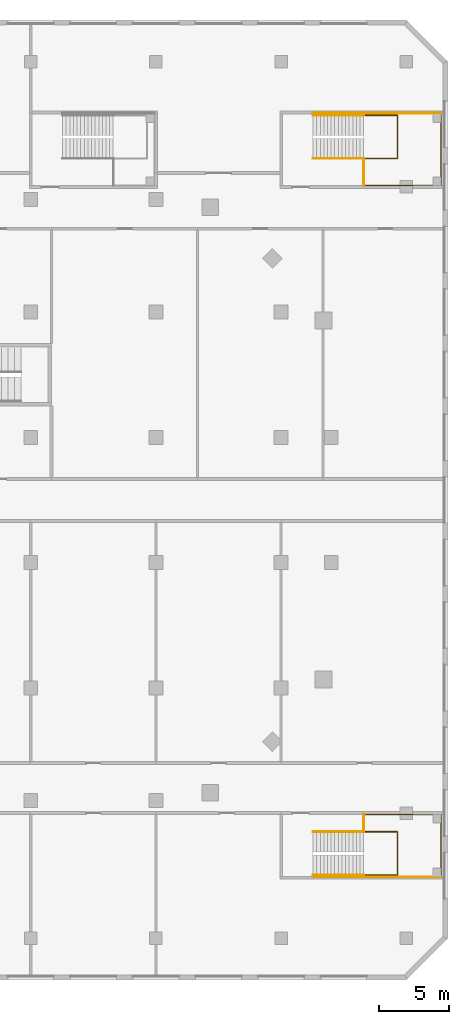
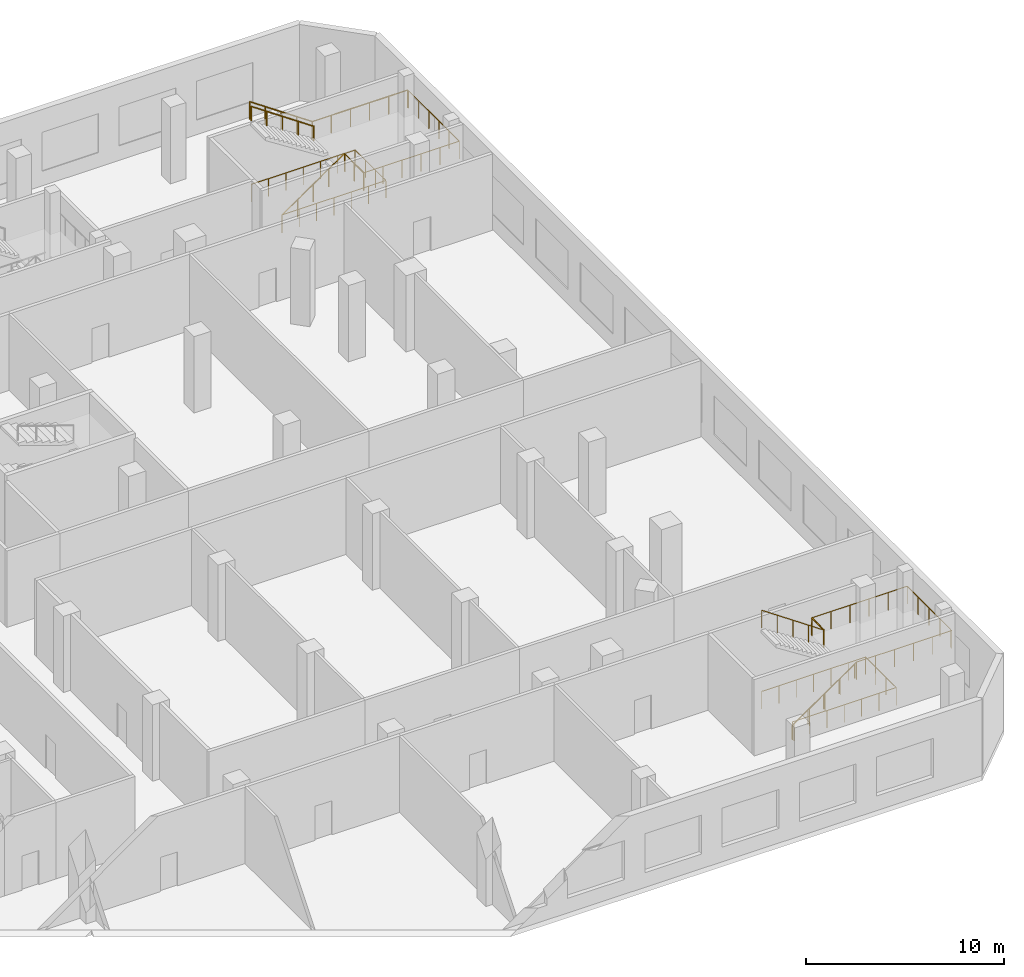
# One storey, part 20 of 21: 12 railings.
"""IFC4 building model written with IfcOpenShell, lengths in metres."""

from ifc_helpers import new_model, si_unit, direction, frame, origin, origin_2d, place, context, subcontext, project, spatial, circle, extrude, material, type_object, element, save


model = new_model("IFC4")

# Units and contexts
model_context = context("Model", 3, precision=1e-05, world=origin(), true_north=direction((0.0, 1.0)))
body_context = subcontext(model_context, "Body", "Model", "MODEL_VIEW")
ifc_project = project(units=[si_unit("LENGTHUNIT", "METRE"), si_unit("AREAUNIT", "SQUARE_METRE"), si_unit("VOLUMEUNIT", "CUBIC_METRE"), si_unit("PLANEANGLEUNIT", "RADIAN"), si_unit("MASSUNIT", "GRAM", prefix="KILO")], contexts=[model_context])

# Site, building, storey
site_placement = place(None, origin())
site = spatial("IfcSite", under=ifc_project, at=site_placement, CompositionType="ELEMENT")
building_placement = place(site_placement, origin())
building = spatial("IfcBuilding", under=site, at=building_placement, Name="Cinnabar Reach Civic Tower", CompositionType="ELEMENT")
storey_placement = place(building_placement, frame((0.0, 0.0, 11.0)))
storey = spatial("IfcBuildingStorey", under=building, at=storey_placement, Name="L02", CompositionType="ELEMENT", Elevation=11.0)

# Railings
ifc_material_1 = material(Name="Stainless steel and glass", Category="steel")
railing_type_1 = type_object("IfcRailingType", Name="Podium guard 1100", PredefinedType="GUARDRAIL", material=ifc_material_1)
railing_1_placement = place(storey_placement, frame((59.94, -1.35, 2.5)))
element("IfcRailing", 1, at=railing_1_placement, inside=storey, type_object=railing_type_1, Name="Stair guard PS4 L02", PredefinedType="GUARDRAIL", context=body_context, shape_type="SweptSolid", body=[
    extrude(circle(Radius=0.024, at=origin_2d()), frame((0.0, 0.0, 1.076), z_axis=(-0.824306135323, 0.0, 0.566144323711), x_axis=(0.0, -1.0, 0.0)), (0.0, 0.0, 1.0), 4.4158),
    extrude(circle(Radius=0.021, at=origin_2d()), origin(), (0.0, 0.0, 1.0), 1.052),
    extrude(circle(Radius=0.021, at=origin_2d()), frame((-0.91, 0.0, 0.625)), (0.0, 0.0, 1.0), 1.052),
    extrude(circle(Radius=0.021, at=origin_2d()), frame((-1.82, 0.0, 1.25)), (0.0, 0.0, 1.0), 1.052),
    extrude(circle(Radius=0.021, at=origin_2d()), frame((-2.73, 0.0, 1.875)), (0.0, 0.0, 1.0), 1.052),
    extrude(circle(Radius=0.021, at=origin_2d()), frame((-3.64, 0.0, 2.5)), (0.0, 0.0, 1.0), 1.052),
])
railing_2_placement = place(storey_placement, frame((59.94, -0.1, 2.5)))
element("IfcRailing", 2, at=railing_2_placement, inside=storey, type_object=railing_type_1, Name="Landing guard PS4 L02", PredefinedType="GUARDRAIL", context=body_context, shape_type="SweptSolid", body=[
    extrude(circle(Radius=0.024, at=origin_2d()), frame((0.0, 0.0, 1.076), z_axis=(1.0, 0.0, 0.0), x_axis=(0.0, 1.0, 0.0)), (0.0, 0.0, 1.0), 5.56),
    extrude(circle(Radius=0.024, at=origin_2d()), frame((5.56, 0.0, 1.076), z_axis=(0.0, -1.0, 0.0), x_axis=(1.0, 0.0, 0.0)), (0.0, 0.0, 1.0), 4.4),
    extrude(circle(Radius=0.021, at=origin_2d()), origin(), (0.0, 0.0, 1.0), 1.052),
    extrude(circle(Radius=0.021, at=origin_2d()), frame((1.112, 0.0, 0.0)), (0.0, 0.0, 1.0), 1.052),
    extrude(circle(Radius=0.021, at=origin_2d()), frame((2.224, 0.0, 0.0)), (0.0, 0.0, 1.0), 1.052),
    extrude(circle(Radius=0.021, at=origin_2d()), frame((3.336, 0.0, 0.0)), (0.0, 0.0, 1.0), 1.052),
    extrude(circle(Radius=0.021, at=origin_2d()), frame((4.448, 0.0, 0.0)), (0.0, 0.0, 1.0), 1.052),
    extrude(circle(Radius=0.021, at=origin_2d()), frame((5.56, 0.0, 0.0)), (0.0, 0.0, 1.0), 1.052),
    extrude(circle(Radius=0.021, at=origin_2d()), frame((5.56, -1.1, 0.0)), (0.0, 0.0, 1.0), 1.052),
    extrude(circle(Radius=0.021, at=origin_2d()), frame((5.56, -2.2, 0.0)), (0.0, 0.0, 1.0), 1.052),
    extrude(circle(Radius=0.021, at=origin_2d()), frame((5.56, -3.3, 0.0)), (0.0, 0.0, 1.0), 1.052),
    extrude(circle(Radius=0.021, at=origin_2d()), frame((5.56, -4.4, 0.0)), (0.0, 0.0, 1.0), 1.052),
])
railing_3_placement = place(storey_placement, frame((59.94, -1.3, 2.5)))
element("IfcRailing", 3, at=railing_3_placement, inside=storey, type_object=railing_type_1, Name="Landing guard PS4 L02 inner", PredefinedType="GUARDRAIL", context=body_context, shape_type="SweptSolid", body=[
    extrude(circle(Radius=0.024, at=origin_2d()), frame((0.0, 0.0, 1.076), z_axis=(0.0, 1.0, 0.0), x_axis=(-1.0, 0.0, 0.0)), (0.0, 0.0, 1.0), 1.2),
    extrude(circle(Radius=0.021, at=origin_2d()), origin(), (0.0, 0.0, 1.0), 1.052),
    extrude(circle(Radius=0.021, at=origin_2d()), frame((0.0, 1.2, 0.0)), (0.0, 0.0, 1.0), 1.052),
])
railing_4_placement = place(storey_placement, frame((56.3, -4.6, 0.0)))
element("IfcRailing", 4, at=railing_4_placement, inside=storey, type_object=railing_type_1, Name="Stair wall side guard PS4 L02", PredefinedType="GUARDRAIL", context=body_context, shape_type="SweptSolid", body=[
    extrude(circle(Radius=0.024, at=origin_2d()), frame((0.0, 0.0, 1.076), z_axis=(0.824306135323, 0.0, 0.566144323711), x_axis=(0.0, 1.0, 0.0)), (0.0, 0.0, 1.0), 4.4158),
    extrude(circle(Radius=0.024, at=origin_2d()), frame((3.64, 0.0, 3.576), z_axis=(1.0, 0.0, 0.0), x_axis=(0.0, 1.0, 0.0)), (0.0, 0.0, 1.0), 5.56),
    extrude(circle(Radius=0.021, at=origin_2d()), origin(), (0.0, 0.0, 1.0), 1.052),
    extrude(circle(Radius=0.021, at=origin_2d()), frame((0.91, 0.0, 0.625)), (0.0, 0.0, 1.0), 1.052),
    extrude(circle(Radius=0.021, at=origin_2d()), frame((1.82, 0.0, 1.25)), (0.0, 0.0, 1.0), 1.052),
    extrude(circle(Radius=0.021, at=origin_2d()), frame((2.73, 0.0, 1.875)), (0.0, 0.0, 1.0), 1.052),
    extrude(circle(Radius=0.021, at=origin_2d()), frame((3.64, 0.0, 2.5)), (0.0, 0.0, 1.0), 1.052),
    extrude(circle(Radius=0.021, at=origin_2d()), frame((4.752, 0.0, 2.5)), (0.0, 0.0, 1.0), 1.052),
    extrude(circle(Radius=0.021, at=origin_2d()), frame((5.864, 0.0, 2.5)), (0.0, 0.0, 1.0), 1.052),
    extrude(circle(Radius=0.021, at=origin_2d()), frame((6.976, 0.0, 2.5)), (0.0, 0.0, 1.0), 1.052),
    extrude(circle(Radius=0.021, at=origin_2d()), frame((8.088, 0.0, 2.5)), (0.0, 0.0, 1.0), 1.052),
    extrude(circle(Radius=0.021, at=origin_2d()), frame((9.2, 0.0, 2.5)), (0.0, 0.0, 1.0), 1.052),
])
railing_5_placement = place(storey_placement, frame((56.3, -4.45, 0.0)))
element("IfcRailing", 5, at=railing_5_placement, inside=storey, type_object=railing_type_1, Name="Stair well guard PS4 L02", PredefinedType="GUARDRAIL", context=body_context, shape_type="SweptSolid", body=[
    extrude(circle(Radius=0.024, at=origin_2d()), frame((0.0, 0.0, 1.076), z_axis=(1.0, 0.0, 0.0), x_axis=(0.0, 1.0, 0.0)), (0.0, 0.0, 1.0), 6.05),
    extrude(circle(Radius=0.024, at=origin_2d()), frame((6.05, 0.0, 1.076), z_axis=(0.0, 1.0, 0.0), x_axis=(-1.0, 0.0, 0.0)), (0.0, 0.0, 1.0), 3.1),
    extrude(circle(Radius=0.024, at=origin_2d()), frame((6.05, 3.1, 1.076), z_axis=(-1.0, 0.0, 0.0), x_axis=(0.0, -1.0, 0.0)), (0.0, 0.0, 1.0), 6.05),
    extrude(circle(Radius=0.021, at=origin_2d()), origin(), (0.0, 0.0, 1.0), 1.052),
    extrude(circle(Radius=0.021, at=origin_2d()), frame((1.0083, 0.0, 0.0)), (0.0, 0.0, 1.0), 1.052),
    extrude(circle(Radius=0.021, at=origin_2d()), frame((2.0167, 0.0, 0.0)), (0.0, 0.0, 1.0), 1.052),
    extrude(circle(Radius=0.021, at=origin_2d()), frame((3.025, 0.0, 0.0)), (0.0, 0.0, 1.0), 1.052),
    extrude(circle(Radius=0.021, at=origin_2d()), frame((4.0333, 0.0, 0.0)), (0.0, 0.0, 1.0), 1.052),
    extrude(circle(Radius=0.021, at=origin_2d()), frame((5.0417, 0.0, 0.0)), (0.0, 0.0, 1.0), 1.052),
    extrude(circle(Radius=0.021, at=origin_2d()), frame((6.05, 0.0, 0.0)), (0.0, 0.0, 1.0), 1.052),
    extrude(circle(Radius=0.021, at=origin_2d()), frame((6.05, 1.0333, 0.0)), (0.0, 0.0, 1.0), 1.052),
    extrude(circle(Radius=0.021, at=origin_2d()), frame((6.05, 2.0667, 0.0)), (0.0, 0.0, 1.0), 1.052),
    extrude(circle(Radius=0.021, at=origin_2d()), frame((6.05, 3.1, 0.0)), (0.0, 0.0, 1.0), 1.052),
    extrude(circle(Radius=0.021, at=origin_2d()), frame((5.0417, 3.1, 0.0)), (0.0, 0.0, 1.0), 1.052),
    extrude(circle(Radius=0.021, at=origin_2d()), frame((4.0333, 3.1, 0.0)), (0.0, 0.0, 1.0), 1.052),
    extrude(circle(Radius=0.021, at=origin_2d()), frame((3.025, 3.1, 0.0)), (0.0, 0.0, 1.0), 1.052),
    extrude(circle(Radius=0.021, at=origin_2d()), frame((2.0167, 3.1, 0.0)), (0.0, 0.0, 1.0), 1.052),
    extrude(circle(Radius=0.021, at=origin_2d()), frame((1.0083, 3.1, 0.0)), (0.0, 0.0, 1.0), 1.052),
    extrude(circle(Radius=0.021, at=origin_2d()), frame((0.0, 3.1, 0.0)), (0.0, 0.0, 1.0), 1.052),
])
railing_6_placement = place(storey_placement, frame((56.3, 47.05, 0.0)))
element("IfcRailing", 6, at=railing_6_placement, inside=storey, type_object=railing_type_1, Name="Stair guard PS5 L02", PredefinedType="GUARDRAIL", context=body_context, shape_type="SweptSolid", body=[
    extrude(circle(Radius=0.024, at=origin_2d()), frame((0.0, 0.0, 1.076), z_axis=(0.824306135323, 0.0, 0.566144323711), x_axis=(0.0, 1.0, 0.0)), (0.0, 0.0, 1.0), 4.4158),
    extrude(circle(Radius=0.021, at=origin_2d()), origin(), (0.0, 0.0, 1.0), 1.052),
    extrude(circle(Radius=0.021, at=origin_2d()), frame((0.91, 0.0, 0.625)), (0.0, 0.0, 1.0), 1.052),
    extrude(circle(Radius=0.021, at=origin_2d()), frame((1.82, 0.0, 1.25)), (0.0, 0.0, 1.0), 1.052),
    extrude(circle(Radius=0.021, at=origin_2d()), frame((2.73, 0.0, 1.875)), (0.0, 0.0, 1.0), 1.052),
    extrude(circle(Radius=0.021, at=origin_2d()), frame((3.64, 0.0, 2.5)), (0.0, 0.0, 1.0), 1.052),
])
railing_7_placement = place(storey_placement, frame((59.94, 45.1, 2.5)))
element("IfcRailing", 7, at=railing_7_placement, inside=storey, type_object=railing_type_1, Name="Landing guard PS5 L02", PredefinedType="GUARDRAIL", context=body_context, shape_type="SweptSolid", body=[
    extrude(circle(Radius=0.024, at=origin_2d()), frame((0.0, 0.0, 1.076), z_axis=(1.0, 0.0, 0.0), x_axis=(0.0, 1.0, 0.0)), (0.0, 0.0, 1.0), 5.56),
    extrude(circle(Radius=0.024, at=origin_2d()), frame((5.56, 0.0, 1.076), z_axis=(0.0, 1.0, 0.0), x_axis=(-1.0, 0.0, 0.0)), (0.0, 0.0, 1.0), 5.1),
    extrude(circle(Radius=0.021, at=origin_2d()), origin(), (0.0, 0.0, 1.0), 1.052),
    extrude(circle(Radius=0.021, at=origin_2d()), frame((1.112, 0.0, 0.0)), (0.0, 0.0, 1.0), 1.052),
    extrude(circle(Radius=0.021, at=origin_2d()), frame((2.224, 0.0, 0.0)), (0.0, 0.0, 1.0), 1.052),
    extrude(circle(Radius=0.021, at=origin_2d()), frame((3.336, 0.0, 0.0)), (0.0, 0.0, 1.0), 1.052),
    extrude(circle(Radius=0.021, at=origin_2d()), frame((4.448, 0.0, 0.0)), (0.0, 0.0, 1.0), 1.052),
    extrude(circle(Radius=0.021, at=origin_2d()), frame((5.56, 0.0, 0.0)), (0.0, 0.0, 1.0), 1.052),
    extrude(circle(Radius=0.021, at=origin_2d()), frame((5.56, 1.02, 0.0)), (0.0, 0.0, 1.0), 1.052),
    extrude(circle(Radius=0.021, at=origin_2d()), frame((5.56, 2.04, 0.0)), (0.0, 0.0, 1.0), 1.052),
    extrude(circle(Radius=0.021, at=origin_2d()), frame((5.56, 3.06, 0.0)), (0.0, 0.0, 1.0), 1.052),
    extrude(circle(Radius=0.021, at=origin_2d()), frame((5.56, 4.08, 0.0)), (0.0, 0.0, 1.0), 1.052),
    extrude(circle(Radius=0.021, at=origin_2d()), frame((5.56, 5.1, 0.0)), (0.0, 0.0, 1.0), 1.052),
])
railing_8_placement = place(storey_placement, frame((59.94, 45.1, 2.5)))
element("IfcRailing", 8, at=railing_8_placement, inside=storey, type_object=railing_type_1, Name="Landing guard PS5 L02 inner", PredefinedType="GUARDRAIL", context=body_context, shape_type="SweptSolid", body=[
    extrude(circle(Radius=0.024, at=origin_2d()), frame((0.0, 0.0, 1.076), z_axis=(0.0, 1.0, 0.0), x_axis=(-1.0, 0.0, 0.0)), (0.0, 0.0, 1.0), 1.9),
    extrude(circle(Radius=0.021, at=origin_2d()), origin(), (0.0, 0.0, 1.0), 1.052),
    extrude(circle(Radius=0.021, at=origin_2d()), frame((0.0, 0.95, 0.0)), (0.0, 0.0, 1.0), 1.052),
    extrude(circle(Radius=0.021, at=origin_2d()), frame((0.0, 1.9, 0.0)), (0.0, 0.0, 1.0), 1.052),
])
railing_9_placement = place(storey_placement, frame((65.5, 50.3, 2.5)))
element("IfcRailing", 9, at=railing_9_placement, inside=storey, type_object=railing_type_1, Name="Stair wall side guard PS5 L02", PredefinedType="GUARDRAIL", context=body_context, shape_type="SweptSolid", body=[
    extrude(circle(Radius=0.024, at=origin_2d()), frame((0.0, 0.0, 1.076), z_axis=(-1.0, 0.0, 0.0), x_axis=(0.0, -1.0, 0.0)), (0.0, 0.0, 1.0), 5.56),
    extrude(circle(Radius=0.024, at=origin_2d()), frame((-5.56, 0.0, 1.076), z_axis=(-0.824306135323, 0.0, 0.566144323711), x_axis=(0.0, -1.0, 0.0)), (0.0, 0.0, 1.0), 4.4158),
    extrude(circle(Radius=0.021, at=origin_2d()), origin(), (0.0, 0.0, 1.0), 1.052),
    extrude(circle(Radius=0.021, at=origin_2d()), frame((-1.112, 0.0, 0.0)), (0.0, 0.0, 1.0), 1.052),
    extrude(circle(Radius=0.021, at=origin_2d()), frame((-2.224, 0.0, 0.0)), (0.0, 0.0, 1.0), 1.052),
    extrude(circle(Radius=0.021, at=origin_2d()), frame((-3.336, 0.0, 0.0)), (0.0, 0.0, 1.0), 1.052),
    extrude(circle(Radius=0.021, at=origin_2d()), frame((-4.448, 0.0, 0.0)), (0.0, 0.0, 1.0), 1.052),
    extrude(circle(Radius=0.021, at=origin_2d()), frame((-5.56, 0.0, 0.0)), (0.0, 0.0, 1.0), 1.052),
    extrude(circle(Radius=0.021, at=origin_2d()), frame((-6.47, 0.0, 0.625)), (0.0, 0.0, 1.0), 1.052),
    extrude(circle(Radius=0.021, at=origin_2d()), frame((-7.38, 0.0, 1.25)), (0.0, 0.0, 1.0), 1.052),
    extrude(circle(Radius=0.021, at=origin_2d()), frame((-8.29, 0.0, 1.875)), (0.0, 0.0, 1.0), 1.052),
    extrude(circle(Radius=0.021, at=origin_2d()), frame((-9.2, 0.0, 2.5)), (0.0, 0.0, 1.0), 1.052),
])
railing_10_placement = place(storey_placement, frame((56.3, 47.05, 0.0)))
element("IfcRailing", 10, at=railing_10_placement, inside=storey, type_object=railing_type_1, Name="Stair well guard PS5 L02", PredefinedType="GUARDRAIL", context=body_context, shape_type="SweptSolid", body=[
    extrude(circle(Radius=0.024, at=origin_2d()), frame((0.0, 0.0, 1.076), z_axis=(1.0, 0.0, 0.0), x_axis=(0.0, 1.0, 0.0)), (0.0, 0.0, 1.0), 6.05),
    extrude(circle(Radius=0.024, at=origin_2d()), frame((6.05, 0.0, 1.076), z_axis=(0.0, 1.0, 0.0), x_axis=(-1.0, 0.0, 0.0)), (0.0, 0.0, 1.0), 3.1),
    extrude(circle(Radius=0.024, at=origin_2d()), frame((6.05, 3.1, 1.076), z_axis=(-1.0, 0.0, 0.0), x_axis=(0.0, -1.0, 0.0)), (0.0, 0.0, 1.0), 6.05),
    extrude(circle(Radius=0.021, at=origin_2d()), origin(), (0.0, 0.0, 1.0), 1.052),
    extrude(circle(Radius=0.021, at=origin_2d()), frame((1.0083, 0.0, 0.0)), (0.0, 0.0, 1.0), 1.052),
    extrude(circle(Radius=0.021, at=origin_2d()), frame((2.0167, 0.0, 0.0)), (0.0, 0.0, 1.0), 1.052),
    extrude(circle(Radius=0.021, at=origin_2d()), frame((3.025, 0.0, 0.0)), (0.0, 0.0, 1.0), 1.052),
    extrude(circle(Radius=0.021, at=origin_2d()), frame((4.0333, 0.0, 0.0)), (0.0, 0.0, 1.0), 1.052),
    extrude(circle(Radius=0.021, at=origin_2d()), frame((5.0417, 0.0, 0.0)), (0.0, 0.0, 1.0), 1.052),
    extrude(circle(Radius=0.021, at=origin_2d()), frame((6.05, 0.0, 0.0)), (0.0, 0.0, 1.0), 1.052),
    extrude(circle(Radius=0.021, at=origin_2d()), frame((6.05, 1.0333, 0.0)), (0.0, 0.0, 1.0), 1.052),
    extrude(circle(Radius=0.021, at=origin_2d()), frame((6.05, 2.0667, 0.0)), (0.0, 0.0, 1.0), 1.052),
    extrude(circle(Radius=0.021, at=origin_2d()), frame((6.05, 3.1, 0.0)), (0.0, 0.0, 1.0), 1.052),
    extrude(circle(Radius=0.021, at=origin_2d()), frame((5.0417, 3.1, 0.0)), (0.0, 0.0, 1.0), 1.052),
    extrude(circle(Radius=0.021, at=origin_2d()), frame((4.0333, 3.1, 0.0)), (0.0, 0.0, 1.0), 1.052),
    extrude(circle(Radius=0.021, at=origin_2d()), frame((3.025, 3.1, 0.0)), (0.0, 0.0, 1.0), 1.052),
    extrude(circle(Radius=0.021, at=origin_2d()), frame((2.0167, 3.1, 0.0)), (0.0, 0.0, 1.0), 1.052),
    extrude(circle(Radius=0.021, at=origin_2d()), frame((1.0083, 3.1, 0.0)), (0.0, 0.0, 1.0), 1.052),
    extrude(circle(Radius=0.021, at=origin_2d()), frame((0.0, 3.1, 0.0)), (0.0, 0.0, 1.0), 1.052),
])
ifc_material_2 = material(Name="Stainless steel", Category="steel")
railing_type_2 = type_object("IfcRailingType", Name="Podium stair handrail 900", PredefinedType="HANDRAIL", material=ifc_material_2)
railing_11_placement = place(storey_placement, frame((56.3, -4.45, 0.0)))
element("IfcRailing", 11, at=railing_11_placement, inside=storey, type_object=railing_type_2, Name="Stair handrail PS4 L02", PredefinedType="HANDRAIL", context=body_context, shape_type="SweptSolid", body=[
    extrude(circle(Radius=0.024, at=origin_2d()), frame((0.0, 0.0, 0.876), z_axis=(0.824306135323, 0.0, 0.566144323711), x_axis=(0.0, 1.0, 0.0)), (0.0, 0.0, 1.0), 4.4158),
    extrude(circle(Radius=0.021, at=origin_2d()), origin(), (0.0, 0.0, 1.0), 0.852),
    extrude(circle(Radius=0.021, at=origin_2d()), frame((0.91, 0.0, 0.625)), (0.0, 0.0, 1.0), 0.852),
    extrude(circle(Radius=0.021, at=origin_2d()), frame((1.82, 0.0, 1.25)), (0.0, 0.0, 1.0), 0.852),
    extrude(circle(Radius=0.021, at=origin_2d()), frame((2.73, 0.0, 1.875)), (0.0, 0.0, 1.0), 0.852),
    extrude(circle(Radius=0.021, at=origin_2d()), frame((3.64, 0.0, 2.5)), (0.0, 0.0, 1.0), 0.852),
])
railing_12_placement = place(storey_placement, frame((59.94, 50.15, 2.5)))
element("IfcRailing", 12, at=railing_12_placement, inside=storey, type_object=railing_type_2, Name="Stair handrail PS5 L02", PredefinedType="HANDRAIL", context=body_context, shape_type="SweptSolid", body=[
    extrude(circle(Radius=0.024, at=origin_2d()), frame((0.0, 0.0, 0.876), z_axis=(-0.824306135323, 0.0, 0.566144323711), x_axis=(0.0, -1.0, 0.0)), (0.0, 0.0, 1.0), 4.4158),
    extrude(circle(Radius=0.021, at=origin_2d()), origin(), (0.0, 0.0, 1.0), 0.852),
    extrude(circle(Radius=0.021, at=origin_2d()), frame((-0.91, 0.0, 0.625)), (0.0, 0.0, 1.0), 0.852),
    extrude(circle(Radius=0.021, at=origin_2d()), frame((-1.82, 0.0, 1.25)), (0.0, 0.0, 1.0), 0.852),
    extrude(circle(Radius=0.021, at=origin_2d()), frame((-2.73, 0.0, 1.875)), (0.0, 0.0, 1.0), 0.852),
    extrude(circle(Radius=0.021, at=origin_2d()), frame((-3.64, 0.0, 2.5)), (0.0, 0.0, 1.0), 0.852),
])

save(model, "model.ifc")
